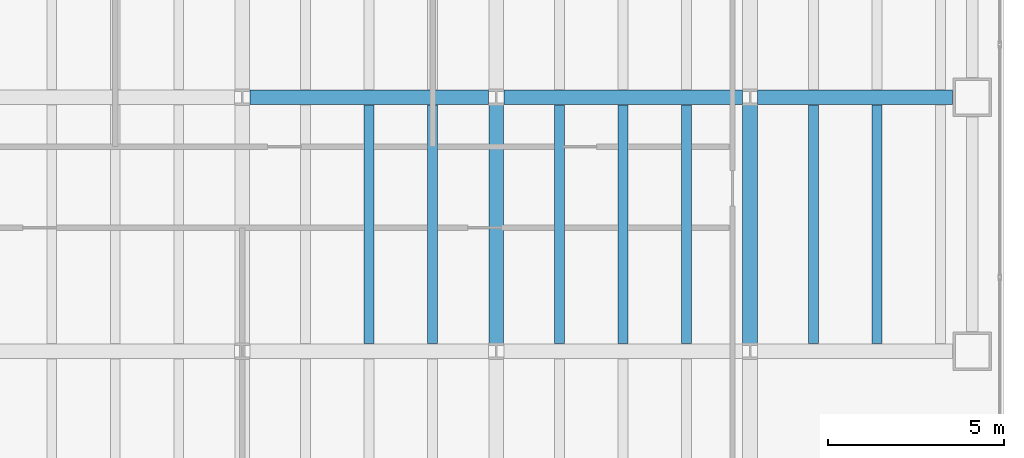
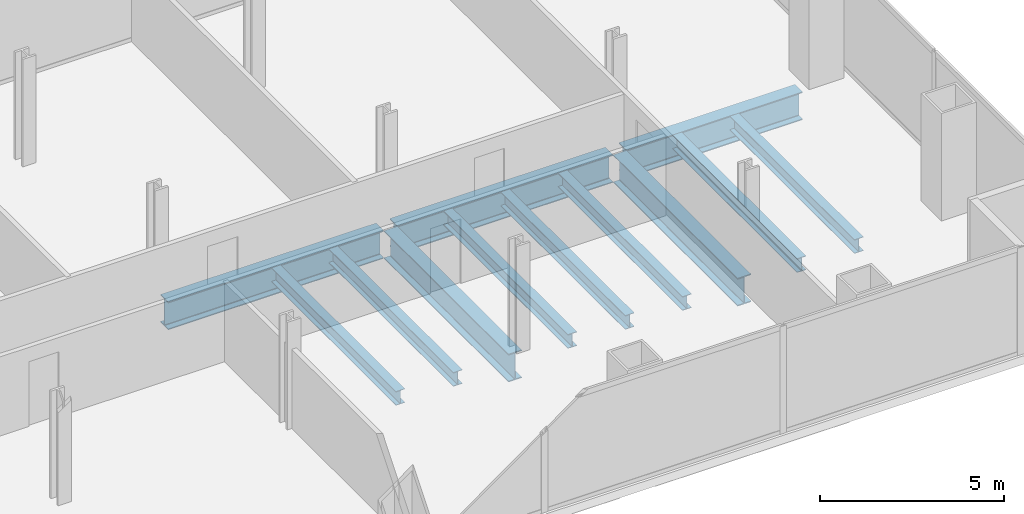
# One storey, part 9 of 23: 12 beams.
"""IFC4 building model written with IfcOpenShell, lengths in metres."""

from ifc_helpers import new_model, si_unit, direction, frame, origin, origin_2d, place, context, subcontext, project, spatial, i_section, extrude, material, material_profile, profile_set, type_object, element, save


model = new_model("IFC4")

# Units and contexts
model_context = context("Model", 3, precision=1e-05, world=origin(), true_north=direction((0.0, 1.0)))
body_context = subcontext(model_context, "Body", "Model", "MODEL_VIEW")
ifc_project = project(units=[si_unit("LENGTHUNIT", "METRE"), si_unit("AREAUNIT", "SQUARE_METRE"), si_unit("VOLUMEUNIT", "CUBIC_METRE"), si_unit("PLANEANGLEUNIT", "RADIAN"), si_unit("MASSUNIT", "GRAM", prefix="KILO")], contexts=[model_context])

# Site, building, storey
site_placement = place(None, origin())
site = spatial("IfcSite", under=ifc_project, at=site_placement, CompositionType="ELEMENT")
building_placement = place(site_placement, origin())
building = spatial("IfcBuilding", under=site, at=building_placement, Name="Cobrela Telecom Tower", CompositionType="ELEMENT")
storey_placement = place(building_placement, frame((0.0, 0.0, 38.85009765625)))
storey = spatial("IfcBuildingStorey", under=building, at=storey_placement, Name="L09", CompositionType="ELEMENT", Elevation=38.85009765625)

# Beams
ifc_material = material(Name="Steel ASTM A992 Grade 50", Category="steel")
ifc_material_profile_1 = material_profile(ifc_material, i_section(OverallWidth=0.4189453125, OverallDepth=0.927001953125, WebThickness=0.019287109375, FlangeThickness=0.031982421875, FilletRadius=0.02392578125, at=origin_2d()), Name="W36X231")
ifc_profile_set_1 = profile_set([ifc_material_profile_1], Name="Steel ASTM A992 Grade 50")
beam_type_1 = type_object("IfcBeamType", Name="BM-GIRD-02", PredefinedType="USERDEFINED", material=ifc_profile_set_1)
for number, where, z_axis, x_axis, name in (
    (1, (29.01611328125, 14.39990234375, -0.74365234375), (1.0, 0.0, 0.0), (0.0, 1.0, 0.0), "L09 Primary Girder X15"),
    (2, (36.216064453125, 14.39990234375, -0.74365234375), (1.0, 0.0, 0.0), (0.0, 1.0, 0.0), "L09 Primary Girder X16"),
):
    element("IfcBeam", number, at=place(storey_placement, frame(where, z_axis=z_axis, x_axis=x_axis)), inside=storey, type_object=beam_type_1, Name=name, ObjectType="GIRDER", PredefinedType="USERDEFINED", context=body_context, shape_type="SweptSolid", body=[
        extrude(i_section(OverallWidth=0.4189453125, OverallDepth=0.927001953125, WebThickness=0.019287109375, FlangeThickness=0.031982421875, FilletRadius=0.02392578125, at=origin_2d()), origin(), (0.0, 0.0, 1.0), 6.767822265625),
    ])
beam_placement = place(storey_placement, frame((43.416015625, 14.39990234375, -0.74365234375), z_axis=(1.0, 0.0, 0.0), x_axis=(0.0, 1.0, 0.0)))
element("IfcBeam", 3, at=beam_placement, inside=storey, type_object=beam_type_1, Name="L09 Primary Girder X17", ObjectType="GIRDER", PredefinedType="USERDEFINED", context=body_context, shape_type="SweptSolid", body=[
    extrude(i_section(OverallWidth=0.4189453125, OverallDepth=0.927001953125, WebThickness=0.019287109375, FlangeThickness=0.031982421875, FilletRadius=0.02392578125, at=origin_2d()), origin(), (0.0, 0.0, 1.0), 5.529052734375),
])
for number, where, z_axis, x_axis, name in (
    (4, (36.0, 7.416015625, -0.74365234375), (0.0, 1.0, 0.0), (-1.0, 0.0, 0.0), "L09 Primary Girder Y51"),
    (5, (43.199951171875, 7.416015625, -0.74365234375), (0.0, 1.0, 0.0), (-1.0, 0.0, 0.0), "L09 Primary Girder Y54"),
):
    element("IfcBeam", number, at=place(storey_placement, frame(where, z_axis=z_axis, x_axis=x_axis)), inside=storey, type_object=beam_type_1, Name=name, ObjectType="GIRDER", PredefinedType="USERDEFINED", context=body_context, shape_type="SweptSolid", body=[
        extrude(i_section(OverallWidth=0.4189453125, OverallDepth=0.927001953125, WebThickness=0.019287109375, FlangeThickness=0.031982421875, FilletRadius=0.02392578125, at=origin_2d()), origin(), (0.0, 0.0, 1.0), 6.76806640625),
    ])
ifc_material_profile_2 = material_profile(ifc_material, i_section(OverallWidth=0.281982421875, OverallDepth=0.467041015625, WebThickness=0.01220703125, FlangeThickness=0.01953125, FilletRadius=0.012939453125, at=origin_2d()), Name="W18X86")
ifc_profile_set_2 = profile_set([ifc_material_profile_2], Name="Steel ASTM A992 Grade 50")
beam_type_2 = type_object("IfcBeamType", Name="BM-JOIST-02", PredefinedType="JOIST", material=ifc_profile_set_2)
for number, where, z_axis, x_axis, name in (
    (6, (32.39990234375, 7.41455078125, -0.513671875), (0.0, 1.0, 0.0), (-1.0, 0.0, 0.0), "L09 Secondary Composite Floor Beam J45"),
    (7, (34.199951171875, 7.41455078125, -0.513671875), (0.0, 1.0, 0.0), (-1.0, 0.0, 0.0), "L09 Secondary Composite Floor Beam J48"),
    (8, (37.800048828125, 7.41455078125, -0.513671875), (0.0, 1.0, 0.0), (-1.0, 0.0, 0.0), "L09 Secondary Composite Floor Beam J51"),
    (9, (39.60009765625, 7.41455078125, -0.513671875), (0.0, 1.0, 0.0), (-1.0, 0.0, 0.0), "L09 Secondary Composite Floor Beam J54"),
    (10, (41.39990234375, 7.41455078125, -0.513671875), (0.0, 1.0, 0.0), (-1.0, 0.0, 0.0), "L09 Secondary Composite Floor Beam J57"),
    (11, (45.0, 7.41455078125, -0.513671875), (0.0, 1.0, 0.0), (-1.0, 0.0, 0.0), "L09 Secondary Composite Floor Beam J59"),
    (12, (46.800048828125, 7.41455078125, -0.513671875), (0.0, 1.0, 0.0), (-1.0, 0.0, 0.0), "L09 Secondary Composite Floor Beam J61"),
):
    element("IfcBeam", number, at=place(storey_placement, frame(where, z_axis=z_axis, x_axis=x_axis)), inside=storey, type_object=beam_type_2, Name=name, PredefinedType="JOIST", context=body_context, shape_type="SweptSolid", body=[
        extrude(i_section(OverallWidth=0.281982421875, OverallDepth=0.467041015625, WebThickness=0.01220703125, FlangeThickness=0.01953125, FilletRadius=0.012939453125, at=origin_2d()), origin(), (0.0, 0.0, 1.0), 6.77099609375),
    ])

save(model, "model.ifc")
